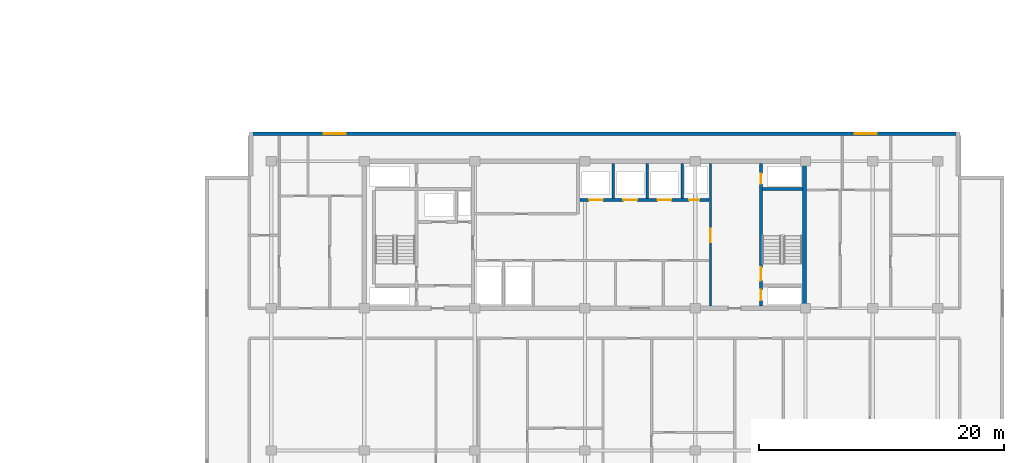
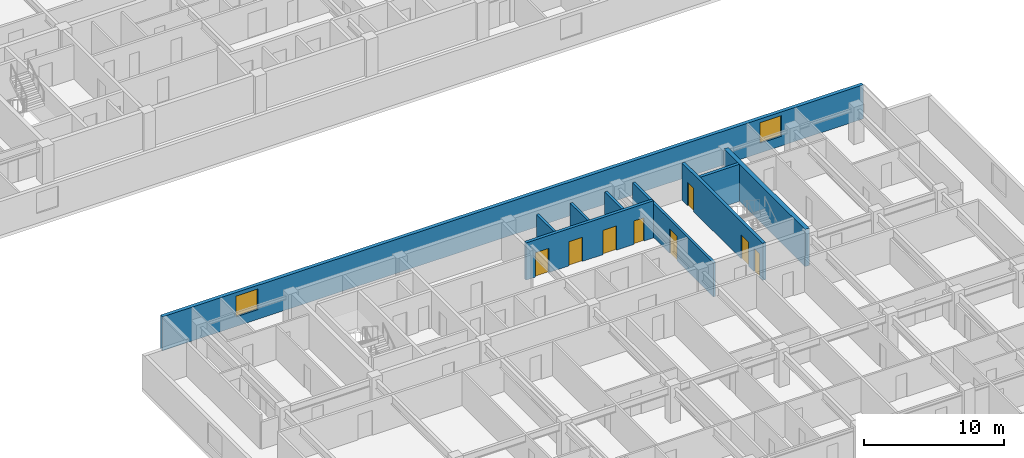
# One storey, part 7 of 21: 9 walls, 8 doors, 2 windows, 10 openings.
"""IFC4 building model written with IfcOpenShell, lengths in metres."""

from ifc_helpers import new_model, si_unit, direction, frame, frame_2d, origin, place, context, subcontext, project, spatial, rectangle, extrude, material, layer, layer_set, type_object, element, fill, save


model = new_model("IFC4")

# Units and contexts
model_context = context("Model", 3, precision=1e-05, world=origin(), true_north=direction((0.0, 1.0)))
body_context = subcontext(model_context, "Body", "Model", "MODEL_VIEW")
ifc_project = project(units=[si_unit("LENGTHUNIT", "METRE"), si_unit("AREAUNIT", "SQUARE_METRE"), si_unit("VOLUMEUNIT", "CUBIC_METRE"), si_unit("PLANEANGLEUNIT", "RADIAN"), si_unit("MASSUNIT", "GRAM", prefix="KILO")], contexts=[model_context])

# Site, building, storey
site_placement = place(None, origin())
site = spatial("IfcSite", under=ifc_project, at=site_placement, CompositionType="ELEMENT")
building_placement = place(site_placement, origin())
building = spatial("IfcBuilding", under=site, at=building_placement, Name="Korimba Cascade Residences", CompositionType="ELEMENT")
storey_placement = place(building_placement, frame((0.0, 0.0, 103.550048828125)))
storey = spatial("IfcBuildingStorey", under=building, at=storey_placement, Name="L29", CompositionType="ELEMENT", Elevation=103.550048828125)

# Wall, openings, windows
ifc_material_1 = material(Name="Precast concrete C40/50", Category="concrete")
ifc_layer_1 = layer(ifc_material_1, 0.300048828125)
ifc_layer_set_1 = layer_set([ifc_layer_1], Name="Precast concrete C40/50")
wall_type_1 = type_object("IfcWallType", Name="EW-STONE-300", PredefinedType="STANDARD", material=ifc_layer_set_1)
wall_1_placement = place(storey_placement, frame((130.699951171875, 32.64990234375, 0.0), z_axis=(0.0, 0.0, 1.0), x_axis=(-1.0, 0.0, 0.0)))
wall_1 = element("IfcWall", 1, at=wall_1_placement, inside=storey, type_object=wall_type_1, Name="L29 T2 Perimeter Stone Wall E06", PredefinedType="STANDARD", context=body_context, shape_type="SweptSolid", body=[
    extrude(rectangle(XDim=58.0, YDim=0.300048828125, at=frame_2d((29.0, 0.0))), origin(), (0.0, 0.0, 1.0), 2.969970703125),
])
opening_1_placement = place(wall_1_placement, frame((50.125, 0.0, 0.85009765625)))
opening_1 = element("IfcOpeningElement", 2, at=opening_1_placement, cuts=wall_1, Name="Opening W-02", PredefinedType="OPENING", context=body_context, shape_type="SweptSolid", body=[
    extrude(rectangle(XDim=1.800048828125, YDim=1.800048828125, at=frame_2d((0.89990234375, 0.89990234375))), frame((0.0, 0.16015625, 0.0), z_axis=(0.0, -1.0, 0.0), x_axis=(1.0, 0.0, 0.0)), (0.0, 0.0, 1.0), 0.320068359375),
])
opening_2_placement = place(wall_1_placement, frame((6.77490234375, 0.0, 0.85009765625)))
opening_2 = element("IfcOpeningElement", 3, at=opening_2_placement, cuts=wall_1, Name="Opening W-02", PredefinedType="OPENING", context=body_context, shape_type="SweptSolid", body=[
    extrude(rectangle(XDim=1.800048828125, YDim=1.800048828125, at=frame_2d((0.89990234375, 0.89990234375))), frame((0.0, 0.16015625, 0.0), z_axis=(0.0, -1.0, 0.0), x_axis=(1.0, 0.0, 0.0)), (0.0, 0.0, 1.0), 0.320068359375),
])
ifc_material_2 = material(Name="Double-Glazed Aluminium Window", Category="aluminium")
window_type = type_object("IfcWindowType", Name="WIN-BED-1800", PartitioningType="SINGLE_PANEL", PredefinedType="WINDOW", material=ifc_material_2)
window_1_placement = place(opening_1_placement, origin())
window_1 = element("IfcWindow", 4, at=window_1_placement, inside=storey, type_object=window_type, Name="L29 T2 North Corner Bedroom Window 1", OverallHeight=1.800048828125, OverallWidth=1.800048828125, PartitioningType="SINGLE_PANEL", PredefinedType="WINDOW", context=body_context, shape_type="SweptSolid", body=[
    extrude(rectangle(XDim=1.800048828125, YDim=1.800048828125, at=frame_2d((0.89990234375, 0.89990234375))), frame((0.0, 0.030029296875, 0.0), z_axis=(0.0, -1.0, 0.0), x_axis=(1.0, 0.0, 0.0)), (0.0, 0.0, 1.0), 0.06005859375),
])
fill(opening_1, window_1)
window_2_placement = place(opening_2_placement, origin())
window_2 = element("IfcWindow", 5, at=window_2_placement, inside=storey, type_object=window_type, Name="L29 T2 North Corner Bedroom Window 2", OverallHeight=1.800048828125, OverallWidth=1.800048828125, PartitioningType="SINGLE_PANEL", PredefinedType="WINDOW", context=body_context, shape_type="SweptSolid", body=[
    extrude(rectangle(XDim=1.800048828125, YDim=1.800048828125, at=frame_2d((0.89990234375, 0.89990234375))), frame((0.0, 0.030029296875, 0.0), z_axis=(0.0, -1.0, 0.0), x_axis=(1.0, 0.0, 0.0)), (0.0, 0.0, 1.0), 0.06005859375),
])
fill(opening_2, window_2)

# Walls
ifc_material_3 = material(Name="Concrete C65/80", Category="concrete")
ifc_layer_2 = layer(ifc_material_3, 0.35009765625)
ifc_layer_set_2 = layer_set([ifc_layer_2], Name="Concrete C65/80")
wall_type_2 = type_object("IfcWallType", Name="WAL-CORE-350", PredefinedType="SHEAR", material=ifc_layer_set_2)
wall_2_placement = place(storey_placement, frame((118.014892578125, 18.574951171875, 0.0), z_axis=(0.0, 0.0, 1.0), x_axis=(0.0, 1.0, 0.0)))
element("IfcWall", 6, at=wall_2_placement, inside=storey, type_object=wall_type_2, Name="L29 Core Shear Wall CW-L29-T2-E", PredefinedType="SHEAR", context=body_context, shape_type="SweptSolid", body=[
    extrude(rectangle(XDim=11.650146484375, YDim=0.35009765625, at=frame_2d((5.8251953125, 0.0))), origin(), (0.0, 0.0, 1.0), 3.25),
])
ifc_material_4 = material(Name="Concrete C40/50", Category="concrete")
ifc_layer_3 = layer(ifc_material_4, 0.199951171875)
ifc_layer_set_3 = layer_set([ifc_layer_3], Name="Concrete C40/50")
wall_type_3 = type_object("IfcWallType", Name="WAL-PART-200", PredefinedType="PARTITIONING", material=ifc_layer_set_3)
for number, where, z_axis, x_axis, name in (
    (7, (102.39990234375, 27.3798828125, 0.0), (0.0, 0.0, 1.0), (0.0, 1.0, 0.0), "L29 Partition Wall CW-L29-T2-B2D1"),
    (8, (105.199951171875, 27.3798828125, 0.0), (0.0, 0.0, 1.0), (0.0, 1.0, 0.0), "L29 Partition Wall CW-L29-T2-B2D2"),
    (9, (108.050048828125, 27.3798828125, 0.0), (0.0, 0.0, 1.0), (0.0, 1.0, 0.0), "L29 Partition Wall CW-L29-T2-B2D3"),
):
    element("IfcWall", number, at=place(storey_placement, frame(where, z_axis=z_axis, x_axis=x_axis)), inside=storey, type_object=wall_type_3, Name=name, PredefinedType="PARTITIONING", context=body_context, shape_type="SweptSolid", body=[
        extrude(rectangle(XDim=2.820068359375, YDim=0.199951171875, at=frame_2d((1.41015625, 0.0))), origin(), (0.0, 0.0, 1.0), 2.969970703125),
    ])

# Wall, opening, door
wall_3_placement = place(storey_placement, frame((110.35009765625, 18.60009765625, 0.0), z_axis=(0.0, 0.0, 1.0), x_axis=(0.0, 1.0, 0.0)))
wall_3 = element("IfcWall", 10, at=wall_3_placement, inside=storey, type_object=wall_type_3, Name="L29 Partition Wall CW-L29-T2-LLEV", PredefinedType="PARTITIONING", context=body_context, shape_type="SweptSolid", body=[
    extrude(rectangle(XDim=11.599853515625, YDim=0.199951171875, at=frame_2d((5.7998046875, 0.0))), origin(), (0.0, 0.0, 1.0), 2.969970703125),
])
opening_3_placement = place(wall_3_placement, frame((5.199951171875, 0.0, 0.0)))
opening_3 = element("IfcOpeningElement", 11, at=opening_3_placement, cuts=wall_3, Name="Opening D-FD6", PredefinedType="OPENING", context=body_context, shape_type="SweptSolid", body=[
    extrude(rectangle(XDim=1.10009765625, YDim=2.14990234375, at=frame_2d((0.550048828125, 1.074951171875))), frame((0.0, 0.10986328125, 0.0), z_axis=(0.0, -1.0, 0.0), x_axis=(1.0, 0.0, 0.0)), (0.0, 0.0, 1.0), 0.219970703125),
])
ifc_material_5 = material(Name="Fire-Rated Timber Stair Lobby Door", Category="wood")
door_type_1 = type_object("IfcDoorType", Name="DR-FD90-1100", OperationType="NOTDEFINED", PredefinedType="DOOR", material=ifc_material_5)
door_1_placement = place(opening_3_placement, origin())
door_1 = element("IfcDoor", 12, at=door_1_placement, inside=storey, type_object=door_type_1, Name="L29 T2 Lift Lobby to East Stair Lobby Door", OperationType="SINGLE_SWING_RIGHT", OverallHeight=2.14990234375, OverallWidth=1.10009765625, PredefinedType="DOOR", context=body_context, shape_type="SweptSolid", body=[
    extrude(rectangle(XDim=1.10009765625, YDim=2.14990234375, at=frame_2d((0.550048828125, 1.074951171875))), frame((0.0, 0.02490234375, 0.0), z_axis=(0.0, -1.0, 0.0), x_axis=(1.0, 0.0, 0.0)), (0.0, 0.0, 1.0), 0.050048828125),
])
fill(opening_3, door_1)

# Wall, openings, doors
ifc_material_6 = material(Name="Concrete C50/60", Category="concrete")
ifc_layer_4 = layer(ifc_material_6, 0.25)
ifc_layer_set_4 = layer_set([ifc_layer_4], Name="Concrete C50/60")
wall_type_4 = type_object("IfcWallType", Name="WAL-SHAFT-250", PredefinedType="SHEAR", material=ifc_layer_set_4)
wall_4_placement = place(storey_placement, frame((99.679931640625, 27.25, 0.0), z_axis=(0.0, 0.0, 1.0), x_axis=(1.0, 0.0, 0.0)))
wall_4 = element("IfcWall", 13, at=wall_4_placement, inside=storey, type_object=wall_type_4, Name="L29 Core Shear Wall CW-L29-T2-B2S", PredefinedType="SHEAR", context=body_context, shape_type="SweptSolid", body=[
    extrude(rectangle(XDim=10.5400390625, YDim=0.25, at=frame_2d((5.27001953125, 0.0))), origin(), (0.0, 0.0, 1.0), 3.25),
])
opening_4_placement = place(wall_4_placement, frame((0.760009765625, 0.0, 0.0)))
opening_4 = element("IfcOpeningElement", 14, at=opening_4_placement, cuts=wall_4, Name="Opening LD-01", PredefinedType="OPENING", context=body_context, shape_type="SweptSolid", body=[
    extrude(rectangle(XDim=1.1201171875, YDim=2.1201171875, at=frame_2d((0.56005859375, 1.06005859375))), frame((0.0, 0.135009765625, 0.0), z_axis=(0.0, -1.0, 0.0), x_axis=(1.0, 0.0, 0.0)), (0.0, 0.0, 1.0), 0.27001953125),
])
opening_5_placement = place(wall_4_placement, frame((3.56005859375, 0.0, 0.0)))
opening_5 = element("IfcOpeningElement", 15, at=opening_5_placement, cuts=wall_4, Name="Opening LD-01", PredefinedType="OPENING", context=body_context, shape_type="SweptSolid", body=[
    extrude(rectangle(XDim=1.1201171875, YDim=2.1201171875, at=frame_2d((0.56005859375, 1.06005859375))), frame((0.0, 0.135009765625, 0.0), z_axis=(0.0, -1.0, 0.0), x_axis=(1.0, 0.0, 0.0)), (0.0, 0.0, 1.0), 0.27001953125),
])
opening_6_placement = place(wall_4_placement, frame((6.360107421875, 0.0, 0.0)))
opening_6 = element("IfcOpeningElement", 16, at=opening_6_placement, cuts=wall_4, Name="Opening LD-01", PredefinedType="OPENING", context=body_context, shape_type="SweptSolid", body=[
    extrude(rectangle(XDim=1.1201171875, YDim=2.1201171875, at=frame_2d((0.56005859375, 1.06005859375))), frame((0.0, 0.135009765625, 0.0), z_axis=(0.0, -1.0, 0.0), x_axis=(1.0, 0.0, 0.0)), (0.0, 0.0, 1.0), 0.27001953125),
])
opening_7_placement = place(wall_4_placement, frame((8.919921875, 0.0, 0.0)))
opening_7 = element("IfcOpeningElement", 17, at=opening_7_placement, cuts=wall_4, Name="Opening D-RS1", PredefinedType="OPENING", context=body_context, shape_type="SweptSolid", body=[
    extrude(rectangle(XDim=0.85009765625, YDim=2.050048828125, at=frame_2d((0.425048828125, 1.02490234375))), frame((0.0, 0.135009765625, 0.0), z_axis=(0.0, -1.0, 0.0), x_axis=(1.0, 0.0, 0.0)), (0.0, 0.0, 1.0), 0.27001953125),
])
ifc_material_7 = material(Name="Fire-Rated Steel Riser Access Door", Category="steel")
door_type_2 = type_object("IfcDoorType", Name="DR-FD60-850", OperationType="NOTDEFINED", PredefinedType="DOOR", material=ifc_material_7)
door_2_placement = place(opening_7_placement, origin())
door_2 = element("IfcDoor", 18, at=door_2_placement, inside=storey, type_object=door_type_2, Name="L29 T2 Duct Door", OperationType="SINGLE_SWING_LEFT", OverallHeight=2.050048828125, OverallWidth=0.85009765625, PredefinedType="DOOR", context=body_context, shape_type="SweptSolid", body=[
    extrude(rectangle(XDim=0.85009765625, YDim=2.050048828125, at=frame_2d((0.425048828125, 1.02490234375))), frame((0.0, 0.02490234375, 0.0), z_axis=(0.0, -1.0, 0.0), x_axis=(1.0, 0.0, 0.0)), (0.0, 0.0, 1.0), 0.050048828125),
])
fill(opening_7, door_2)
ifc_material_8 = material(Name="Stainless Steel Lift Landing Sliding Door", Category="steel")
door_type_3 = type_object("IfcDoorType", Name="DR-LIFT-1100", OperationType="NOTDEFINED", PredefinedType="DOOR", material=ifc_material_8)
door_3_placement = place(opening_4_placement, origin())
door_3 = element("IfcDoor", 19, at=door_3_placement, inside=storey, type_object=door_type_3, Name="L29 Lift Landing Door PL-E4", OperationType="SLIDING_TO_RIGHT", OverallHeight=2.1201171875, OverallWidth=1.1201171875, PredefinedType="DOOR", context=body_context, shape_type="SweptSolid", body=[
    extrude(rectangle(XDim=1.1201171875, YDim=2.1201171875, at=frame_2d((0.56005859375, 1.06005859375))), frame((0.0, 0.02490234375, 0.0), z_axis=(0.0, -1.0, 0.0), x_axis=(1.0, 0.0, 0.0)), (0.0, 0.0, 1.0), 0.050048828125),
])
fill(opening_4, door_3)
door_4_placement = place(opening_5_placement, origin())
door_4 = element("IfcDoor", 20, at=door_4_placement, inside=storey, type_object=door_type_3, Name="L29 Lift Landing Door PL-E5", OperationType="SLIDING_TO_RIGHT", OverallHeight=2.1201171875, OverallWidth=1.1201171875, PredefinedType="DOOR", context=body_context, shape_type="SweptSolid", body=[
    extrude(rectangle(XDim=1.1201171875, YDim=2.1201171875, at=frame_2d((0.56005859375, 1.06005859375))), frame((0.0, 0.02490234375, 0.0), z_axis=(0.0, -1.0, 0.0), x_axis=(1.0, 0.0, 0.0)), (0.0, 0.0, 1.0), 0.050048828125),
])
fill(opening_5, door_4)
door_5_placement = place(opening_6_placement, origin())
door_5 = element("IfcDoor", 21, at=door_5_placement, inside=storey, type_object=door_type_3, Name="L29 Lift Landing Door PL-E6", OperationType="SLIDING_TO_RIGHT", OverallHeight=2.1201171875, OverallWidth=1.1201171875, PredefinedType="DOOR", context=body_context, shape_type="SweptSolid", body=[
    extrude(rectangle(XDim=1.1201171875, YDim=2.1201171875, at=frame_2d((0.56005859375, 1.06005859375))), frame((0.0, 0.02490234375, 0.0), z_axis=(0.0, -1.0, 0.0), x_axis=(1.0, 0.0, 0.0)), (0.0, 0.0, 1.0), 0.050048828125),
])
fill(opening_6, door_5)

wall_5_placement = place(storey_placement, frame((114.47509765625, 18.60009765625, 0.0), z_axis=(0.0, 0.0, 1.0), x_axis=(0.0, 1.0, 0.0)))
wall_5 = element("IfcWall", 22, at=wall_5_placement, inside=storey, type_object=wall_type_4, Name="L29 Core Shear Wall CW-L29-T2-STE2W", PredefinedType="SHEAR", context=body_context, shape_type="SweptSolid", body=[
    extrude(rectangle(XDim=11.599853515625, YDim=0.25, at=frame_2d((5.7998046875, 0.0))), origin(), (0.0, 0.0, 1.0), 3.25),
])
opening_8_placement = place(wall_5_placement, frame((0.449951171875, 0.0, 0.0)))
opening_8 = element("IfcOpeningElement", 23, at=opening_8_placement, cuts=wall_5, Name="Opening D-RS1", PredefinedType="OPENING", context=body_context, shape_type="SweptSolid", body=[
    extrude(rectangle(XDim=0.85009765625, YDim=2.050048828125, at=frame_2d((0.425048828125, 1.02490234375))), frame((0.0, 0.135009765625, 0.0), z_axis=(0.0, -1.0, 0.0), x_axis=(1.0, 0.0, 0.0)), (0.0, 0.0, 1.0), 0.27001953125),
])
opening_9_placement = place(wall_5_placement, frame((2.050048828125, 0.0, 0.0)))
opening_9 = element("IfcOpeningElement", 24, at=opening_9_placement, cuts=wall_5, Name="Opening D-FD1", PredefinedType="OPENING", context=body_context, shape_type="SweptSolid", body=[
    extrude(rectangle(XDim=1.10009765625, YDim=2.10009765625, at=frame_2d((0.550048828125, 1.050048828125))), frame((0.0, 0.135009765625, 0.0), z_axis=(0.0, -1.0, 0.0), x_axis=(1.0, 0.0, 0.0)), (0.0, 0.0, 1.0), 0.27001953125),
])
opening_10_placement = place(wall_5_placement, frame((9.949951171875, 0.0, 0.0)))
opening_10 = element("IfcOpeningElement", 25, at=opening_10_placement, cuts=wall_5, Name="Opening D-RS1", PredefinedType="OPENING", context=body_context, shape_type="SweptSolid", body=[
    extrude(rectangle(XDim=0.85009765625, YDim=2.050048828125, at=frame_2d((0.425048828125, 1.02490234375))), frame((0.0, 0.135009765625, 0.0), z_axis=(0.0, -1.0, 0.0), x_axis=(1.0, 0.0, 0.0)), (0.0, 0.0, 1.0), 0.27001953125),
])
ifc_material_9 = material(Name="Fire-Rated Steel Core Door", Category="steel")
door_type_4 = type_object("IfcDoorType", Name="DR-FD120-1100", OperationType="NOTDEFINED", PredefinedType="DOOR", material=ifc_material_9)
door_6_placement = place(opening_9_placement, origin())
door_6 = element("IfcDoor", 26, at=door_6_placement, inside=storey, type_object=door_type_4, Name="L29 Fire Stair ST-E2 Door", OperationType="SINGLE_SWING_RIGHT", OverallHeight=2.10009765625, OverallWidth=1.10009765625, PredefinedType="DOOR", context=body_context, shape_type="SweptSolid", body=[
    extrude(rectangle(XDim=1.10009765625, YDim=2.10009765625, at=frame_2d((0.550048828125, 1.050048828125))), frame((0.0, 0.02490234375, 0.0), z_axis=(0.0, -1.0, 0.0), x_axis=(1.0, 0.0, 0.0)), (0.0, 0.0, 1.0), 0.050048828125),
])
fill(opening_9, door_6)
door_7_placement = place(opening_8_placement, origin())
door_7 = element("IfcDoor", 27, at=door_7_placement, inside=storey, type_object=door_type_2, Name="L29 T2 East Hydrant Door", OperationType="SINGLE_SWING_LEFT", OverallHeight=2.050048828125, OverallWidth=0.85009765625, PredefinedType="DOOR", context=body_context, shape_type="SweptSolid", body=[
    extrude(rectangle(XDim=0.85009765625, YDim=2.050048828125, at=frame_2d((0.425048828125, 1.02490234375))), frame((0.0, 0.02490234375, 0.0), z_axis=(0.0, -1.0, 0.0), x_axis=(1.0, 0.0, 0.0)), (0.0, 0.0, 1.0), 0.050048828125),
])
fill(opening_8, door_7)
door_8_placement = place(opening_10_placement, origin())
door_8 = element("IfcDoor", 28, at=door_8_placement, inside=storey, type_object=door_type_2, Name="L29 T2 East Riser Door", OperationType="SINGLE_SWING_LEFT", OverallHeight=2.050048828125, OverallWidth=0.85009765625, PredefinedType="DOOR", context=body_context, shape_type="SweptSolid", body=[
    extrude(rectangle(XDim=0.85009765625, YDim=2.050048828125, at=frame_2d((0.425048828125, 1.02490234375))), frame((0.0, 0.02490234375, 0.0), z_axis=(0.0, -1.0, 0.0), x_axis=(1.0, 0.0, 0.0)), (0.0, 0.0, 1.0), 0.050048828125),
])
fill(opening_10, door_8)

# Wall
wall_6_placement = place(storey_placement, frame((114.60009765625, 28.125, 0.0), z_axis=(0.0, 0.0, 1.0), x_axis=(1.0, 0.0, 0.0)))
element("IfcWall", 29, at=wall_6_placement, inside=storey, type_object=wall_type_4, Name="L29 Core Shear Wall CW-L29-T2-STE2N", PredefinedType="SHEAR", context=body_context, shape_type="SweptSolid", body=[
    extrude(rectangle(XDim=3.239990234375, YDim=0.25, at=frame_2d((1.6201171875, 0.0))), origin(), (0.0, 0.0, 1.0), 3.25),
])

save(model, "model.ifc")
